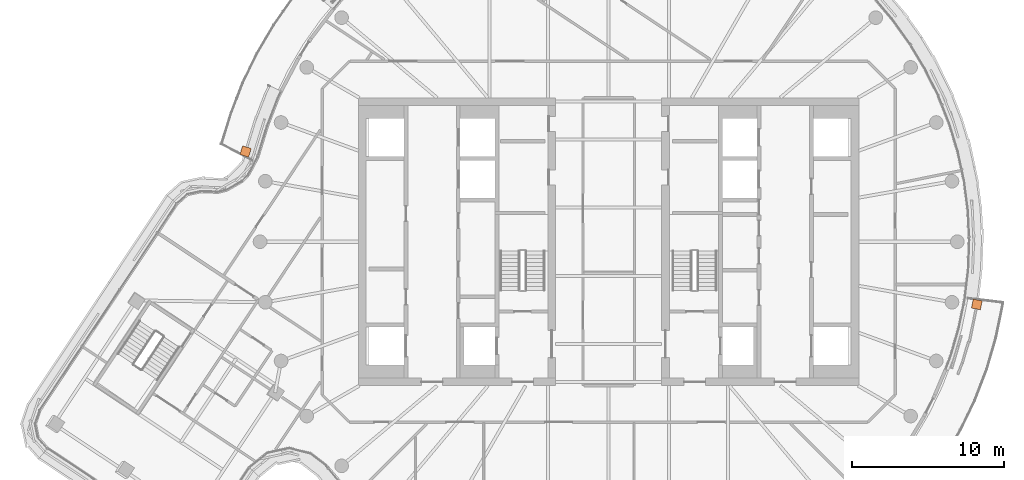
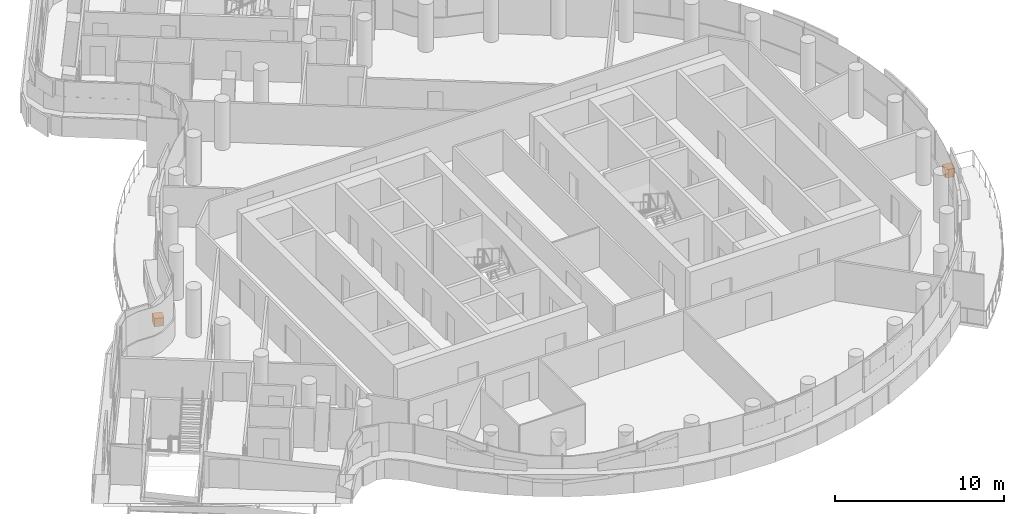
# One storey, part 27 of 27: 2 proxies.
"""IFC4 building model written with IfcOpenShell, lengths in metres."""

from ifc_helpers import new_model, si_unit, direction, frame, origin, origin_2d, place, context, subcontext, project, spatial, rectangle, extrude, material, type_object, element, save


model = new_model("IFC4")

# Units and contexts
model_context = context("Model", 3, precision=1e-05, world=origin(), true_north=direction((0.0, 1.0)))
body_context = subcontext(model_context, "Body", "Model", "MODEL_VIEW")
ifc_project = project(units=[si_unit("LENGTHUNIT", "METRE"), si_unit("AREAUNIT", "SQUARE_METRE"), si_unit("VOLUMEUNIT", "CUBIC_METRE"), si_unit("PLANEANGLEUNIT", "RADIAN"), si_unit("MASSUNIT", "GRAM", prefix="KILO")], contexts=[model_context])

# Site, building, storey
site_placement = place(None, origin())
site = spatial("IfcSite", under=ifc_project, at=site_placement, CompositionType="ELEMENT")
building_placement = place(site_placement, origin())
building = spatial("IfcBuilding", under=site, at=building_placement, Name="Tamarind Cross Interchange Tower", CompositionType="ELEMENT")
storey_placement = place(building_placement, frame((0.0, 0.0, 237.89990234375)))
storey = spatial("IfcBuildingStorey", under=building, at=storey_placement, Name="L60", CompositionType="ELEMENT", Elevation=237.89990234375)

# Proxies
ifc_material = material(Name="Concrete C30", Category="concrete")
building_element_proxy_type = type_object("IfcBuildingElementProxyType", Name="Planter", PredefinedType="USERDEFINED", material=ifc_material)
proxy_1_placement = place(storey_placement, origin())
element("IfcBuildingElementProxy", 1, at=proxy_1_placement, inside=storey, type_object=building_element_proxy_type, Name="PLT-L60-BAL02", ObjectType="Planter", PredefinedType="USERDEFINED", context=body_context, shape_type="SweptSolid", body=[
    extrude(rectangle(XDim=0.60009765625, YDim=0.60009765625, at=origin_2d()), frame((24.2880859375, -4.138427734375, 0.0), z_axis=(0.0, 0.0, 1.0), x_axis=(0.201001463943, 0.9795909409, 0.0)), (0.0, 0.0, 1.0), 0.60009765625),
])
proxy_2_placement = place(storey_placement, origin())
element("IfcBuildingElementProxy", 2, at=proxy_2_placement, inside=storey, type_object=building_element_proxy_type, Name="PLT-L60-BAL06", ObjectType="Planter", PredefinedType="USERDEFINED", context=body_context, shape_type="SweptSolid", body=[
    extrude(rectangle(XDim=0.60009765625, YDim=0.60009765625, at=origin_2d()), frame((-23.95361328125, 5.953125, 0.0), z_axis=(0.0, 0.0, 1.0), x_axis=(-0.293333117786, -0.956010293883, 0.0)), (0.0, 0.0, 1.0), 0.60009765625),
])

save(model, "model.ifc")
